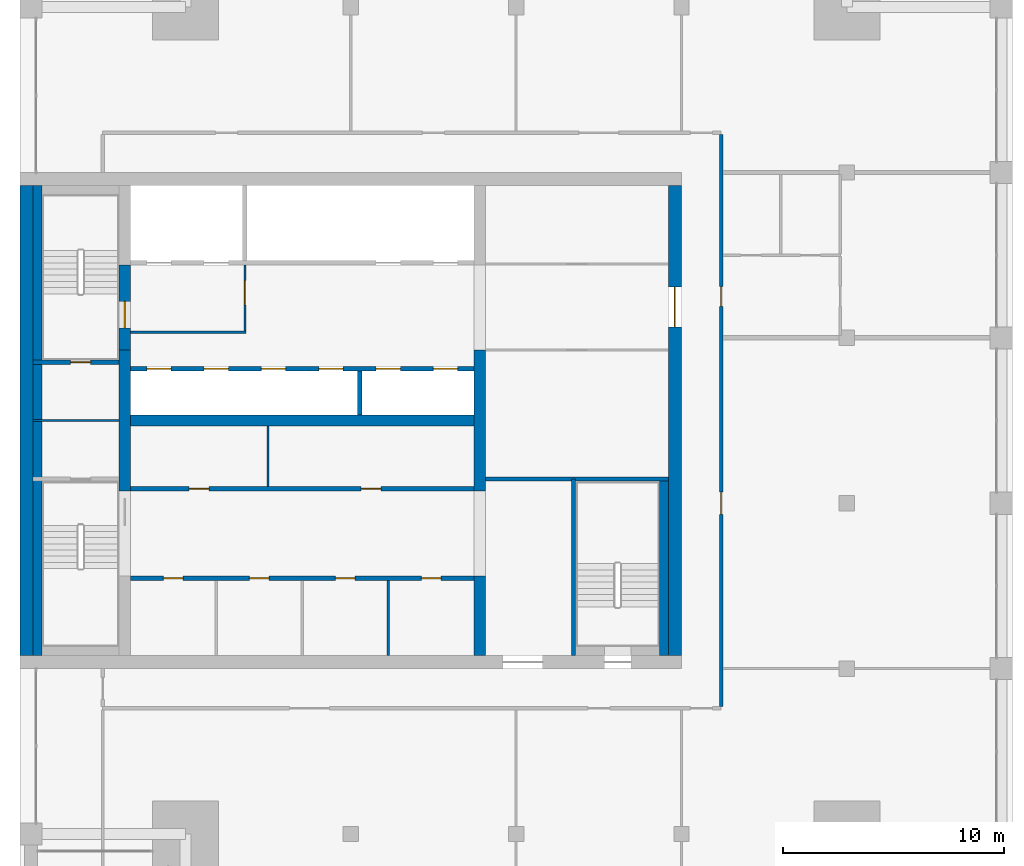
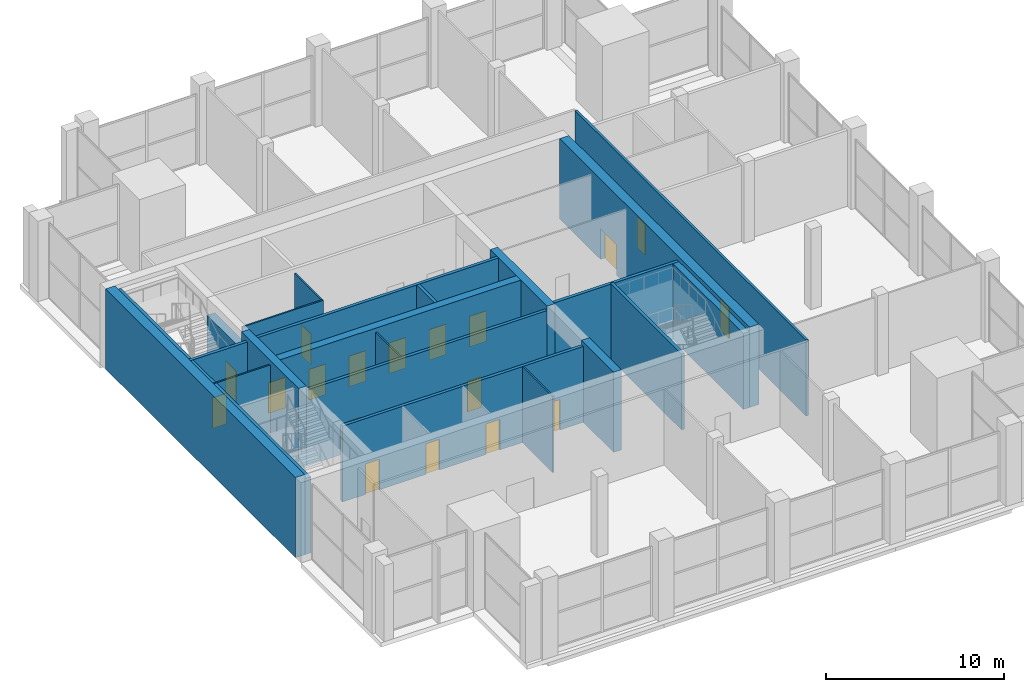
# One storey, part 9 of 15: 22 walls, 18 doors, 18 openings.
"""IFC4 building model written with IfcOpenShell, lengths in metres."""

from ifc_helpers import new_model, si_unit, direction, frame, frame_2d, origin, place, context, subcontext, project, spatial, rectangle, extrude, material, layer, layer_set, type_object, element, fill, save


model = new_model("IFC4")

# Units and contexts
model_context = context("Model", 3, precision=1e-05, world=origin(), true_north=direction((0.0, 1.0)))
body_context = subcontext(model_context, "Body", "Model", "MODEL_VIEW")
ifc_project = project(units=[si_unit("LENGTHUNIT", "METRE"), si_unit("AREAUNIT", "SQUARE_METRE"), si_unit("VOLUMEUNIT", "CUBIC_METRE"), si_unit("PLANEANGLEUNIT", "RADIAN"), si_unit("MASSUNIT", "GRAM", prefix="KILO")], contexts=[model_context])

# Site, building, storey
site_placement = place(None, origin())
site = spatial("IfcSite", under=ifc_project, at=site_placement, CompositionType="ELEMENT")
building_placement = place(site_placement, origin())
building = spatial("IfcBuilding", under=site, at=building_placement, Name="Tamorin Gate", CompositionType="ELEMENT")
storey_placement = place(building_placement, frame((0.0, 0.0, 292.199951171875)))
storey = spatial("IfcBuildingStorey", under=building, at=storey_placement, Name="L73", CompositionType="ELEMENT", Elevation=292.199951171875)

# Wall, openings, doors
ifc_material_1 = material(Name="Gypsum board partition")
ifc_layer_1 = layer(ifc_material_1, 0.14990234375)
ifc_layer_set_1 = layer_set([ifc_layer_1], Name="Corridor wall 150")
wall_type_1 = type_object("IfcWallType", Name="Corridor wall 150", PredefinedType="PARTITIONING", material=ifc_layer_set_1)
wall_1_placement = place(storey_placement, frame((61.800048828125, 58.27490234375, 0.0), z_axis=(0.0, 0.0, 1.0), x_axis=(0.0, 1.0, 0.0)))
wall_1 = element("IfcWall", 1, at=wall_1_placement, inside=storey, type_object=wall_type_1, Name="Corridor wall 150", PredefinedType="PARTITIONING", context=body_context, shape_type="SweptSolid", body=[
    extrude(rectangle(XDim=25.9501953125, YDim=0.14990234375, at=frame_2d((12.97509765625, 0.0))), origin(), (0.0, 0.0, 1.0), 5.199951171875),
])
opening_1_placement = place(wall_1_placement, frame((8.72509765625, 0.0, 0.0)))
opening_1 = element("IfcOpeningElement", 2, at=opening_1_placement, cuts=wall_1, Name="Opening DSR1009", PredefinedType="OPENING", context=body_context, shape_type="SweptSolid", body=[
    extrude(rectangle(XDim=1.0, YDim=2.10009765625, at=frame_2d((0.5, 1.050048828125))), frame((0.0, 0.0849609375, 0.0), z_axis=(0.0, -1.0, 0.0), x_axis=(1.0, 0.0, 0.0)), (0.0, 0.0, 1.0), 0.169921875),
])
opening_2_placement = place(wall_1_placement, frame((18.14990234375, 0.0, 0.0)))
opening_2 = element("IfcOpeningElement", 3, at=opening_2_placement, cuts=wall_1, Name="Opening DSR1010", PredefinedType="OPENING", context=body_context, shape_type="SweptSolid", body=[
    extrude(rectangle(XDim=0.89990234375, YDim=2.10009765625, at=frame_2d((0.449951171875, 1.050048828125))), frame((0.0, 0.0849609375, 0.0), z_axis=(0.0, -1.0, 0.0), x_axis=(1.0, 0.0, 0.0)), (0.0, 0.0, 1.0), 0.169921875),
])
ifc_material_2 = material(Name="Timber door leaf", Category="wood")
door_type_1 = type_object("IfcDoorType", Name="Door 1000 x 2100 FD30S", OperationType="NOTDEFINED", PredefinedType="DOOR", material=ifc_material_2)
door_1_placement = place(opening_1_placement, origin())
door_1 = element("IfcDoor", 4, at=door_1_placement, inside=storey, type_object=door_type_1, Name="Door DSR1009", OperationType="SINGLE_SWING_RIGHT", OverallHeight=2.10009765625, OverallWidth=1.0, PredefinedType="DOOR", context=body_context, shape_type="SweptSolid", body=[
    extrude(rectangle(XDim=1.0, YDim=2.10009765625, at=frame_2d((0.5, 1.050048828125))), frame((0.0, 0.02490234375, 0.0), z_axis=(0.0, -1.0, 0.0), x_axis=(1.0, 0.0, 0.0)), (0.0, 0.0, 1.0), 0.050048828125),
])
fill(opening_1, door_1)
door_type_2 = type_object("IfcDoorType", Name="Door 900 x 2100 FD30S", OperationType="NOTDEFINED", PredefinedType="DOOR", material=ifc_material_2)
door_2_placement = place(opening_2_placement, origin())
door_2 = element("IfcDoor", 5, at=door_2_placement, inside=storey, type_object=door_type_2, Name="Door DSR1010", OperationType="SINGLE_SWING_RIGHT", OverallHeight=2.10009765625, OverallWidth=0.89990234375, PredefinedType="DOOR", context=body_context, shape_type="SweptSolid", body=[
    extrude(rectangle(XDim=0.89990234375, YDim=2.10009765625, at=frame_2d((0.449951171875, 1.050048828125))), frame((0.0, 0.02490234375, 0.0), z_axis=(0.0, -1.0, 0.0), x_axis=(1.0, 0.0, 0.0)), (0.0, 0.0, 1.0), 0.050048828125),
])
fill(opening_2, door_2)

ifc_material_3 = material(Name="Concrete C32/40", Category="concrete")
ifc_layer_2 = layer(ifc_material_3, 0.199951171875)
ifc_layer_set_2 = layer_set([ifc_layer_2], Name="Lift lobby face wall 200 EI 120")
wall_type_2 = type_object("IfcWallType", Name="Lift lobby face wall 200 EI 120", PredefinedType="SOLIDWALL", material=ifc_layer_set_2)
wall_2_placement = place(storey_placement, frame((35.0, 73.60009765625, 0.0), z_axis=(0.0, 0.0, 1.0), x_axis=(1.0, 0.0, 0.0)))
wall_2 = element("IfcWall", 6, at=wall_2_placement, inside=storey, type_object=wall_type_2, Name="Lift lobby face wall", PredefinedType="SOLIDWALL", context=body_context, shape_type="SweptSolid", body=[
    extrude(rectangle(XDim=15.60009765625, YDim=0.199951171875, at=frame_2d((7.800048828125, 0.0))), origin(), (0.0, 0.0, 1.0), 5.5),
])
opening_3_placement = place(wall_2_placement, frame((0.75, 0.0, 0.0)))
opening_3 = element("IfcOpeningElement", 7, at=opening_3_placement, cuts=wall_2, Name="Opening LD11", PredefinedType="OPENING", context=body_context, shape_type="SweptSolid", body=[
    extrude(rectangle(XDim=1.10009765625, YDim=2.10009765625, at=frame_2d((0.550048828125, 1.050048828125))), frame((0.0, 0.10986328125, 0.0), z_axis=(0.0, -1.0, 0.0), x_axis=(1.0, 0.0, 0.0)), (0.0, 0.0, 1.0), 0.219970703125),
])
opening_4_placement = place(wall_2_placement, frame((3.35009765625, 0.0, 0.0)))
opening_4 = element("IfcOpeningElement", 8, at=opening_4_placement, cuts=wall_2, Name="Opening LD12", PredefinedType="OPENING", context=body_context, shape_type="SweptSolid", body=[
    extrude(rectangle(XDim=1.10009765625, YDim=2.10009765625, at=frame_2d((0.550048828125, 1.050048828125))), frame((0.0, 0.10986328125, 0.0), z_axis=(0.0, -1.0, 0.0), x_axis=(1.0, 0.0, 0.0)), (0.0, 0.0, 1.0), 0.219970703125),
])
opening_5_placement = place(wall_2_placement, frame((5.949951171875, 0.0, 0.0)))
opening_5 = element("IfcOpeningElement", 9, at=opening_5_placement, cuts=wall_2, Name="Opening LD13", PredefinedType="OPENING", context=body_context, shape_type="SweptSolid", body=[
    extrude(rectangle(XDim=1.10009765625, YDim=2.10009765625, at=frame_2d((0.550048828125, 1.050048828125))), frame((0.0, 0.10986328125, 0.0), z_axis=(0.0, -1.0, 0.0), x_axis=(1.0, 0.0, 0.0)), (0.0, 0.0, 1.0), 0.219970703125),
])
opening_6_placement = place(wall_2_placement, frame((8.550048828125, 0.0, 0.0)))
opening_6 = element("IfcOpeningElement", 10, at=opening_6_placement, cuts=wall_2, Name="Opening LD14", PredefinedType="OPENING", context=body_context, shape_type="SweptSolid", body=[
    extrude(rectangle(XDim=1.10009765625, YDim=2.10009765625, at=frame_2d((0.550048828125, 1.050048828125))), frame((0.0, 0.10986328125, 0.0), z_axis=(0.0, -1.0, 0.0), x_axis=(1.0, 0.0, 0.0)), (0.0, 0.0, 1.0), 0.219970703125),
])
opening_7_placement = place(wall_2_placement, frame((11.14990234375, 0.0, 0.0)))
opening_7 = element("IfcOpeningElement", 11, at=opening_7_placement, cuts=wall_2, Name="Opening LD15", PredefinedType="OPENING", context=body_context, shape_type="SweptSolid", body=[
    extrude(rectangle(XDim=1.10009765625, YDim=2.10009765625, at=frame_2d((0.550048828125, 1.050048828125))), frame((0.0, 0.10986328125, 0.0), z_axis=(0.0, -1.0, 0.0), x_axis=(1.0, 0.0, 0.0)), (0.0, 0.0, 1.0), 0.219970703125),
])
opening_8_placement = place(wall_2_placement, frame((13.75, 0.0, 0.0)))
opening_8 = element("IfcOpeningElement", 12, at=opening_8_placement, cuts=wall_2, Name="Opening LD16", PredefinedType="OPENING", context=body_context, shape_type="SweptSolid", body=[
    extrude(rectangle(XDim=1.10009765625, YDim=2.10009765625, at=frame_2d((0.550048828125, 1.050048828125))), frame((0.0, 0.10986328125, 0.0), z_axis=(0.0, -1.0, 0.0), x_axis=(1.0, 0.0, 0.0)), (0.0, 0.0, 1.0), 0.219970703125),
])
ifc_material_4 = material(Name="Stainless steel sliding door", Category="steel")
door_type_3 = type_object("IfcDoorType", Name="Lift landing door 1100 x 2100 E 90", OperationType="DOUBLE_DOOR_SLIDING", PredefinedType="DOOR", material=ifc_material_4)
door_3_placement = place(opening_3_placement, origin())
door_3 = element("IfcDoor", 13, at=door_3_placement, inside=storey, type_object=door_type_3, Name="HR1 landing door", OperationType="DOUBLE_DOOR_SLIDING", OverallHeight=2.10009765625, OverallWidth=1.10009765625, PredefinedType="DOOR", context=body_context, shape_type="SweptSolid", body=[
    extrude(rectangle(XDim=1.10009765625, YDim=2.10009765625, at=frame_2d((0.550048828125, 1.050048828125))), frame((0.0, 0.02490234375, 0.0), z_axis=(0.0, -1.0, 0.0), x_axis=(1.0, 0.0, 0.0)), (0.0, 0.0, 1.0), 0.050048828125),
])
fill(opening_3, door_3)
door_4_placement = place(opening_4_placement, origin())
door_4 = element("IfcDoor", 14, at=door_4_placement, inside=storey, type_object=door_type_3, Name="HR2 landing door", OperationType="DOUBLE_DOOR_SLIDING", OverallHeight=2.10009765625, OverallWidth=1.10009765625, PredefinedType="DOOR", context=body_context, shape_type="SweptSolid", body=[
    extrude(rectangle(XDim=1.10009765625, YDim=2.10009765625, at=frame_2d((0.550048828125, 1.050048828125))), frame((0.0, 0.02490234375, 0.0), z_axis=(0.0, -1.0, 0.0), x_axis=(1.0, 0.0, 0.0)), (0.0, 0.0, 1.0), 0.050048828125),
])
fill(opening_4, door_4)
door_5_placement = place(opening_5_placement, origin())
door_5 = element("IfcDoor", 15, at=door_5_placement, inside=storey, type_object=door_type_3, Name="HR3 landing door", OperationType="DOUBLE_DOOR_SLIDING", OverallHeight=2.10009765625, OverallWidth=1.10009765625, PredefinedType="DOOR", context=body_context, shape_type="SweptSolid", body=[
    extrude(rectangle(XDim=1.10009765625, YDim=2.10009765625, at=frame_2d((0.550048828125, 1.050048828125))), frame((0.0, 0.02490234375, 0.0), z_axis=(0.0, -1.0, 0.0), x_axis=(1.0, 0.0, 0.0)), (0.0, 0.0, 1.0), 0.050048828125),
])
fill(opening_5, door_5)
door_6_placement = place(opening_6_placement, origin())
door_6 = element("IfcDoor", 16, at=door_6_placement, inside=storey, type_object=door_type_3, Name="HR4 landing door", OperationType="DOUBLE_DOOR_SLIDING", OverallHeight=2.10009765625, OverallWidth=1.10009765625, PredefinedType="DOOR", context=body_context, shape_type="SweptSolid", body=[
    extrude(rectangle(XDim=1.10009765625, YDim=2.10009765625, at=frame_2d((0.550048828125, 1.050048828125))), frame((0.0, 0.02490234375, 0.0), z_axis=(0.0, -1.0, 0.0), x_axis=(1.0, 0.0, 0.0)), (0.0, 0.0, 1.0), 0.050048828125),
])
fill(opening_6, door_6)
door_7_placement = place(opening_7_placement, origin())
door_7 = element("IfcDoor", 17, at=door_7_placement, inside=storey, type_object=door_type_3, Name="HR5 landing door", OperationType="DOUBLE_DOOR_SLIDING", OverallHeight=2.10009765625, OverallWidth=1.10009765625, PredefinedType="DOOR", context=body_context, shape_type="SweptSolid", body=[
    extrude(rectangle(XDim=1.10009765625, YDim=2.10009765625, at=frame_2d((0.550048828125, 1.050048828125))), frame((0.0, 0.02490234375, 0.0), z_axis=(0.0, -1.0, 0.0), x_axis=(1.0, 0.0, 0.0)), (0.0, 0.0, 1.0), 0.050048828125),
])
fill(opening_7, door_7)
door_8_placement = place(opening_8_placement, origin())
door_8 = element("IfcDoor", 18, at=door_8_placement, inside=storey, type_object=door_type_3, Name="HR6 landing door", OperationType="DOUBLE_DOOR_SLIDING", OverallHeight=2.10009765625, OverallWidth=1.10009765625, PredefinedType="DOOR", context=body_context, shape_type="SweptSolid", body=[
    extrude(rectangle(XDim=1.10009765625, YDim=2.10009765625, at=frame_2d((0.550048828125, 1.050048828125))), frame((0.0, 0.02490234375, 0.0), z_axis=(0.0, -1.0, 0.0), x_axis=(1.0, 0.0, 0.0)), (0.0, 0.0, 1.0), 0.050048828125),
])
fill(opening_8, door_8)

# Walls
ifc_layer_3 = layer(ifc_material_3, 0.199951171875)
ifc_layer_set_3 = layer_set([ifc_layer_3], Name="Lift shaft wall 200 EI 120")
wall_type_3 = type_object("IfcWallType", Name="Lift shaft wall 200 EI 120", PredefinedType="SOLIDWALL", material=ifc_layer_set_3)
wall_3_placement = place(storey_placement, frame((45.39990234375, 71.5, 0.0), z_axis=(0.0, 0.0, 1.0), x_axis=(0.0, 1.0, 0.0)))
element("IfcWall", 19, at=wall_3_placement, inside=storey, type_object=wall_type_3, Name="Lift shaft wall", PredefinedType="SOLIDWALL", context=body_context, shape_type="SweptSolid", body=[
    extrude(rectangle(XDim=2.0, YDim=0.199951171875, at=frame_2d((1.0, 0.0))), origin(), (0.0, 0.0, 1.0), 5.5),
])
ifc_material_5 = material(Name="Fire-rated gypsum board partition")
ifc_layer_4 = layer(ifc_material_5, 0.10009765625)
ifc_layer_set_4 = layer_set([ifc_layer_4], Name="Lobby wall 100 EI 60")
wall_type_4 = type_object("IfcWallType", Name="Lobby wall 100 EI 60", PredefinedType="PARTITIONING", material=ifc_layer_set_4)
wall_4_placement = place(storey_placement, frame((35.0, 75.25, 0.0), z_axis=(0.0, 0.0, 1.0), x_axis=(1.0, 0.0, 0.0)))
element("IfcWall", 20, at=wall_4_placement, inside=storey, type_object=wall_type_4, Name="Firefighting lobby wall", PredefinedType="PARTITIONING", context=body_context, shape_type="SweptSolid", body=[
    extrude(rectangle(XDim=5.25, YDim=0.10009765625, at=frame_2d((2.625, 0.0))), origin(), (0.0, 0.0, 1.0), 5.199951171875),
])

# Wall, opening, door
wall_5_placement = place(storey_placement, frame((40.199951171875, 75.300048828125, 0.0), z_axis=(0.0, 0.0, 1.0), x_axis=(0.0, 1.0, 0.0)))
wall_5 = element("IfcWall", 21, at=wall_5_placement, inside=storey, type_object=wall_type_4, Name="Firefighting lobby wall", PredefinedType="PARTITIONING", context=body_context, shape_type="SweptSolid", body=[
    extrude(rectangle(XDim=3.0, YDim=0.10009765625, at=frame_2d((1.5, 0.0))), origin(), (0.0, 0.0, 1.0), 5.199951171875),
])
opening_9_placement = place(wall_5_placement, frame((1.199951171875, 0.0, 0.0)))
opening_9 = element("IfcOpeningElement", 22, at=opening_9_placement, cuts=wall_5, Name="Opening DF1", PredefinedType="OPENING", context=body_context, shape_type="SweptSolid", body=[
    extrude(rectangle(XDim=1.10009765625, YDim=2.10009765625, at=frame_2d((0.550048828125, 1.050048828125))), frame((0.0, 0.06005859375, 0.0), z_axis=(0.0, -1.0, 0.0), x_axis=(1.0, 0.0, 0.0)), (0.0, 0.0, 1.0), 0.1201171875),
])
ifc_material_6 = material(Name="Steel fire door", Category="steel")
door_type_4 = type_object("IfcDoorType", Name="Firefighting lobby door 1100 x 2100 EI 90", OperationType="SINGLE_SWING_LEFT", PredefinedType="DOOR", material=ifc_material_6)
door_9_placement = place(opening_9_placement, origin())
door_9 = element("IfcDoor", 23, at=door_9_placement, inside=storey, type_object=door_type_4, Name="Firefighting lobby door", OperationType="SINGLE_SWING_LEFT", OverallHeight=2.10009765625, OverallWidth=1.10009765625, PredefinedType="DOOR", context=body_context, shape_type="SweptSolid", body=[
    extrude(rectangle(XDim=1.10009765625, YDim=2.10009765625, at=frame_2d((0.550048828125, 1.050048828125))), frame((0.0, 0.02490234375, 0.0), z_axis=(0.0, -1.0, 0.0), x_axis=(1.0, 0.0, 0.0)), (0.0, 0.0, 1.0), 0.050048828125),
])
fill(opening_9, door_9)

# Walls
ifc_material_7 = material(Name="Concrete C50/60", Category="concrete")
ifc_layer_5 = layer(ifc_material_7, 0.5)
ifc_layer_set_5 = layer_set([ifc_layer_5], Name="RC core internal wall 500 C50/60")
wall_type_5 = type_object("IfcWallType", Name="RC core internal wall 500 C50/60", PredefinedType="SHEAR", material=ifc_layer_set_5)
wall_6_placement = place(storey_placement, frame((35.0, 71.25, 0.0), z_axis=(0.0, 0.0, 1.0), x_axis=(1.0, 0.0, 0.0)))
element("IfcWall", 24, at=wall_6_placement, inside=storey, type_object=wall_type_5, Name="Core spine wall L73", PredefinedType="SHEAR", context=body_context, shape_type="SweptSolid", body=[
    extrude(rectangle(XDim=15.60009765625, YDim=0.5, at=frame_2d((7.800048828125, 0.0))), origin(), (0.0, 0.0, 1.0), 5.5),
])
wall_7_placement = place(storey_placement, frame((34.75, 68.050048828125, 0.0), z_axis=(0.0, 0.0, 1.0), x_axis=(0.0, 1.0, 0.0)))
element("IfcWall", 25, at=wall_7_placement, inside=storey, type_object=wall_type_5, Name="Core cross wall L73", PredefinedType="SHEAR", context=body_context, shape_type="SweptSolid", body=[
    extrude(rectangle(XDim=6.39990234375, YDim=0.5, at=frame_2d((3.199951171875, 0.0))), origin(), (0.0, 0.0, 1.0), 5.5),
])
wall_8_placement = place(storey_placement, frame((50.85009765625, 60.60009765625, 0.0), z_axis=(0.0, 0.0, 1.0), x_axis=(0.0, 1.0, 0.0)))
element("IfcWall", 26, at=wall_8_placement, inside=storey, type_object=wall_type_5, Name="Core cross wall L73", PredefinedType="SHEAR", context=body_context, shape_type="SweptSolid", body=[
    extrude(rectangle(XDim=3.599853515625, YDim=0.5, at=frame_2d((1.7998046875, 0.0))), origin(), (0.0, 0.0, 1.0), 5.5),
])
wall_9_placement = place(storey_placement, frame((50.85009765625, 68.050048828125, 0.0), z_axis=(0.0, 0.0, 1.0), x_axis=(0.0, 1.0, 0.0)))
element("IfcWall", 27, at=wall_9_placement, inside=storey, type_object=wall_type_5, Name="Core cross wall L73", PredefinedType="SHEAR", context=body_context, shape_type="SweptSolid", body=[
    extrude(rectangle(XDim=6.39990234375, YDim=0.5, at=frame_2d((3.199951171875, 0.0))), origin(), (0.0, 0.0, 1.0), 5.5),
])
ifc_layer_6 = layer(ifc_material_7, 0.60009765625)
ifc_layer_set_6 = layer_set([ifc_layer_6], Name="RC core wall 600 C50/60")
wall_type_6 = type_object("IfcWallType", Name="RC core wall 600 C50/60", PredefinedType="SHEAR", material=ifc_layer_set_6)
wall_10_placement = place(storey_placement, frame((30.300048828125, 60.60009765625, 0.0), z_axis=(0.0, 0.0, 1.0), x_axis=(0.0, 1.0, 0.0)))
element("IfcWall", 28, at=wall_10_placement, inside=storey, type_object=wall_type_6, Name="Core wall L73", PredefinedType="SHEAR", context=body_context, shape_type="SweptSolid", body=[
    extrude(rectangle(XDim=21.2998046875, YDim=0.60009765625, at=frame_2d((10.64990234375, 0.0))), origin(), (0.0, 0.0, 1.0), 5.5),
])

# Wall, opening, door
wall_11_placement = place(storey_placement, frame((59.699951171875, 60.60009765625, 0.0), z_axis=(0.0, 0.0, 1.0), x_axis=(0.0, 1.0, 0.0)))
wall_11 = element("IfcWall", 29, at=wall_11_placement, inside=storey, type_object=wall_type_6, Name="Core wall L73", PredefinedType="SHEAR", context=body_context, shape_type="SweptSolid", body=[
    extrude(rectangle(XDim=21.2998046875, YDim=0.60009765625, at=frame_2d((10.64990234375, 0.0))), origin(), (0.0, 0.0, 1.0), 5.5),
])
opening_10_placement = place(wall_11_placement, frame((14.89990234375, 0.0, 0.0)))
opening_10 = element("IfcOpeningElement", 30, at=opening_10_placement, cuts=wall_11, Name="Opening DE1", PredefinedType="OPENING", context=body_context, shape_type="SweptSolid", body=[
    extrude(rectangle(XDim=1.800048828125, YDim=2.10009765625, at=frame_2d((0.89990234375, 1.050048828125))), frame((0.0, 0.31005859375, 0.0), z_axis=(0.0, -1.0, 0.0), x_axis=(1.0, 0.0, 0.0)), (0.0, 0.0, 1.0), 0.6201171875),
])
door_type_5 = type_object("IfcDoorType", Name="Lobby exit double door 1800 x 2100 EI 60", OperationType="DOUBLE_DOOR_SINGLE_SWING", PredefinedType="DOOR", material=ifc_material_6)
door_10_placement = place(opening_10_placement, origin())
door_10 = element("IfcDoor", 31, at=door_10_placement, inside=storey, type_object=door_type_5, Name="Lift lobby B exit door", OperationType="DOUBLE_DOOR_SINGLE_SWING", OverallHeight=2.10009765625, OverallWidth=1.800048828125, PredefinedType="DOOR", context=body_context, shape_type="SweptSolid", body=[
    extrude(rectangle(XDim=1.800048828125, YDim=2.10009765625, at=frame_2d((0.89990234375, 1.050048828125))), frame((0.0, 0.02490234375, 0.0), z_axis=(0.0, -1.0, 0.0), x_axis=(1.0, 0.0, 0.0)), (0.0, 0.0, 1.0), 0.050048828125),
])
fill(opening_10, door_10)

# Wall
ifc_layer_7 = layer(ifc_material_5, 0.10009765625)
ifc_layer_set_7 = layer_set([ifc_layer_7], Name="Riser partition 100 EI 120")
wall_type_7 = type_object("IfcWallType", Name="Riser partition 100 EI 120", PredefinedType="PARTITIONING", material=ifc_layer_set_7)
wall_12_placement = place(storey_placement, frame((30.60009765625, 71.25, 0.0), z_axis=(0.0, 0.0, 1.0), x_axis=(1.0, 0.0, 0.0)))
element("IfcWall", 32, at=wall_12_placement, inside=storey, type_object=wall_type_7, Name="Riser partition", PredefinedType="PARTITIONING", context=body_context, shape_type="SweptSolid", body=[
    extrude(rectangle(XDim=3.89990234375, YDim=0.10009765625, at=frame_2d((1.949951171875, 0.0))), origin(), (0.0, 0.0, 1.0), 5.199951171875),
])

# Wall, openings, doors
ifc_layer_8 = layer(ifc_material_1, 0.199951171875)
ifc_layer_set_8 = layer_set([ifc_layer_8], Name="Service room face wall 200 EI 60")
wall_type_8 = type_object("IfcWallType", Name="Service room face wall 200 EI 60", PredefinedType="PARTITIONING", material=ifc_layer_set_8)
wall_13_placement = place(storey_placement, frame((35.0, 64.10009765625, 0.0), z_axis=(0.0, 0.0, 1.0), x_axis=(1.0, 0.0, 0.0)))
wall_13 = element("IfcWall", 33, at=wall_13_placement, inside=storey, type_object=wall_type_8, Name="Service room face wall", PredefinedType="PARTITIONING", context=body_context, shape_type="SweptSolid", body=[
    extrude(rectangle(XDim=15.60009765625, YDim=0.199951171875, at=frame_2d((7.800048828125, 0.0))), origin(), (0.0, 0.0, 1.0), 5.199951171875),
])
opening_11_placement = place(wall_13_placement, frame((1.5, 0.0, 0.0)))
opening_11 = element("IfcOpeningElement", 34, at=opening_11_placement, cuts=wall_13, Name="Opening DK1", PredefinedType="OPENING", context=body_context, shape_type="SweptSolid", body=[
    extrude(rectangle(XDim=0.89990234375, YDim=2.10009765625, at=frame_2d((0.449951171875, 1.050048828125))), frame((0.0, 0.10986328125, 0.0), z_axis=(0.0, -1.0, 0.0), x_axis=(1.0, 0.0, 0.0)), (0.0, 0.0, 1.0), 0.219970703125),
])
opening_12_placement = place(wall_13_placement, frame((5.39990234375, 0.0, 0.0)))
opening_12 = element("IfcOpeningElement", 35, at=opening_12_placement, cuts=wall_13, Name="Opening DK1", PredefinedType="OPENING", context=body_context, shape_type="SweptSolid", body=[
    extrude(rectangle(XDim=0.89990234375, YDim=2.10009765625, at=frame_2d((0.449951171875, 1.050048828125))), frame((0.0, 0.10986328125, 0.0), z_axis=(0.0, -1.0, 0.0), x_axis=(1.0, 0.0, 0.0)), (0.0, 0.0, 1.0), 0.219970703125),
])
opening_13_placement = place(wall_13_placement, frame((9.300048828125, 0.0, 0.0)))
opening_13 = element("IfcOpeningElement", 36, at=opening_13_placement, cuts=wall_13, Name="Opening DK1", PredefinedType="OPENING", context=body_context, shape_type="SweptSolid", body=[
    extrude(rectangle(XDim=0.89990234375, YDim=2.10009765625, at=frame_2d((0.449951171875, 1.050048828125))), frame((0.0, 0.10986328125, 0.0), z_axis=(0.0, -1.0, 0.0), x_axis=(1.0, 0.0, 0.0)), (0.0, 0.0, 1.0), 0.219970703125),
])
opening_14_placement = place(wall_13_placement, frame((13.199951171875, 0.0, 0.0)))
opening_14 = element("IfcOpeningElement", 37, at=opening_14_placement, cuts=wall_13, Name="Opening DK1", PredefinedType="OPENING", context=body_context, shape_type="SweptSolid", body=[
    extrude(rectangle(XDim=0.89990234375, YDim=2.10009765625, at=frame_2d((0.449951171875, 1.050048828125))), frame((0.0, 0.10986328125, 0.0), z_axis=(0.0, -1.0, 0.0), x_axis=(1.0, 0.0, 0.0)), (0.0, 0.0, 1.0), 0.219970703125),
])
ifc_material_8 = material(Name="Timber fire door", Category="wood")
door_type_6 = type_object("IfcDoorType", Name="Service room door 900 x 2100 EI 60", OperationType="SINGLE_SWING_LEFT", PredefinedType="DOOR", material=ifc_material_8)
door_11_placement = place(opening_11_placement, origin())
door_11 = element("IfcDoor", 38, at=door_11_placement, inside=storey, type_object=door_type_6, Name="Door Wine store", OperationType="SINGLE_SWING_LEFT", OverallHeight=2.10009765625, OverallWidth=0.89990234375, PredefinedType="DOOR", context=body_context, shape_type="SweptSolid", body=[
    extrude(rectangle(XDim=0.89990234375, YDim=2.10009765625, at=frame_2d((0.449951171875, 1.050048828125))), frame((0.0, 0.02490234375, 0.0), z_axis=(0.0, -1.0, 0.0), x_axis=(1.0, 0.0, 0.0)), (0.0, 0.0, 1.0), 0.050048828125),
])
fill(opening_11, door_11)
door_12_placement = place(opening_12_placement, origin())
door_12 = element("IfcDoor", 39, at=door_12_placement, inside=storey, type_object=door_type_6, Name="Door Cleaner's store", OperationType="SINGLE_SWING_RIGHT", OverallHeight=2.10009765625, OverallWidth=0.89990234375, PredefinedType="DOOR", context=body_context, shape_type="SweptSolid", body=[
    extrude(rectangle(XDim=0.89990234375, YDim=2.10009765625, at=frame_2d((0.449951171875, 1.050048828125))), frame((0.0, 0.02490234375, 0.0), z_axis=(0.0, -1.0, 0.0), x_axis=(1.0, 0.0, 0.0)), (0.0, 0.0, 1.0), 0.050048828125),
])
fill(opening_12, door_12)
door_13_placement = place(opening_13_placement, origin())
door_13 = element("IfcDoor", 40, at=door_13_placement, inside=storey, type_object=door_type_6, Name="Door Pantry", OperationType="SINGLE_SWING_LEFT", OverallHeight=2.10009765625, OverallWidth=0.89990234375, PredefinedType="DOOR", context=body_context, shape_type="SweptSolid", body=[
    extrude(rectangle(XDim=0.89990234375, YDim=2.10009765625, at=frame_2d((0.449951171875, 1.050048828125))), frame((0.0, 0.02490234375, 0.0), z_axis=(0.0, -1.0, 0.0), x_axis=(1.0, 0.0, 0.0)), (0.0, 0.0, 1.0), 0.050048828125),
])
fill(opening_13, door_13)
door_14_placement = place(opening_14_placement, origin())
door_14 = element("IfcDoor", 41, at=door_14_placement, inside=storey, type_object=door_type_6, Name="Door Linen store", OperationType="SINGLE_SWING_RIGHT", OverallHeight=2.10009765625, OverallWidth=0.89990234375, PredefinedType="DOOR", context=body_context, shape_type="SweptSolid", body=[
    extrude(rectangle(XDim=0.89990234375, YDim=2.10009765625, at=frame_2d((0.449951171875, 1.050048828125))), frame((0.0, 0.02490234375, 0.0), z_axis=(0.0, -1.0, 0.0), x_axis=(1.0, 0.0, 0.0)), (0.0, 0.0, 1.0), 0.050048828125),
])
fill(opening_14, door_14)

wall_14_placement = place(storey_placement, frame((35.0, 68.14990234375, 0.0), z_axis=(0.0, 0.0, 1.0), x_axis=(1.0, 0.0, 0.0)))
wall_14 = element("IfcWall", 42, at=wall_14_placement, inside=storey, type_object=wall_type_8, Name="Service room face wall", PredefinedType="PARTITIONING", context=body_context, shape_type="SweptSolid", body=[
    extrude(rectangle(XDim=15.60009765625, YDim=0.199951171875, at=frame_2d((7.800048828125, 0.0))), origin(), (0.0, 0.0, 1.0), 5.199951171875),
])
opening_15_placement = place(wall_14_placement, frame((2.675048828125, 0.0, 0.0)))
opening_15 = element("IfcOpeningElement", 43, at=opening_15_placement, cuts=wall_14, Name="Opening DK1", PredefinedType="OPENING", context=body_context, shape_type="SweptSolid", body=[
    extrude(rectangle(XDim=0.89990234375, YDim=2.10009765625, at=frame_2d((0.449951171875, 1.050048828125))), frame((0.0, 0.10986328125, 0.0), z_axis=(0.0, -1.0, 0.0), x_axis=(1.0, 0.0, 0.0)), (0.0, 0.0, 1.0), 0.219970703125),
])
opening_16_placement = place(wall_14_placement, frame((10.47509765625, 0.0, 0.0)))
opening_16 = element("IfcOpeningElement", 44, at=opening_16_placement, cuts=wall_14, Name="Opening DK1", PredefinedType="OPENING", context=body_context, shape_type="SweptSolid", body=[
    extrude(rectangle(XDim=0.89990234375, YDim=2.10009765625, at=frame_2d((0.449951171875, 1.050048828125))), frame((0.0, 0.10986328125, 0.0), z_axis=(0.0, -1.0, 0.0), x_axis=(1.0, 0.0, 0.0)), (0.0, 0.0, 1.0), 0.219970703125),
])
door_15_placement = place(opening_15_placement, origin())
door_15 = element("IfcDoor", 45, at=door_15_placement, inside=storey, type_object=door_type_6, Name="Door Housekeeping store", OperationType="SINGLE_SWING_LEFT", OverallHeight=2.10009765625, OverallWidth=0.89990234375, PredefinedType="DOOR", context=body_context, shape_type="SweptSolid", body=[
    extrude(rectangle(XDim=0.89990234375, YDim=2.10009765625, at=frame_2d((0.449951171875, 1.050048828125))), frame((0.0, 0.02490234375, 0.0), z_axis=(0.0, -1.0, 0.0), x_axis=(1.0, 0.0, 0.0)), (0.0, 0.0, 1.0), 0.050048828125),
])
fill(opening_15, door_15)
door_16_placement = place(opening_16_placement, origin())
door_16 = element("IfcDoor", 46, at=door_16_placement, inside=storey, type_object=door_type_6, Name="Door Electrical and IT room", OperationType="SINGLE_SWING_RIGHT", OverallHeight=2.10009765625, OverallWidth=0.89990234375, PredefinedType="DOOR", context=body_context, shape_type="SweptSolid", body=[
    extrude(rectangle(XDim=0.89990234375, YDim=2.10009765625, at=frame_2d((0.449951171875, 1.050048828125))), frame((0.0, 0.02490234375, 0.0), z_axis=(0.0, -1.0, 0.0), x_axis=(1.0, 0.0, 0.0)), (0.0, 0.0, 1.0), 0.050048828125),
])
fill(opening_16, door_16)

# Walls
ifc_layer_9 = layer(ifc_material_1, 0.10009765625)
ifc_layer_set_9 = layer_set([ifc_layer_9], Name="Service room partition 100 EI 60")
wall_type_9 = type_object("IfcWallType", Name="Service room partition 100 EI 60", PredefinedType="PARTITIONING", material=ifc_layer_set_9)
wall_15_placement = place(storey_placement, frame((46.699951171875, 60.60009765625, 0.0), z_axis=(0.0, 0.0, 1.0), x_axis=(0.0, 1.0, 0.0)))
element("IfcWall", 47, at=wall_15_placement, inside=storey, type_object=wall_type_9, Name="Service room partition", PredefinedType="PARTITIONING", context=body_context, shape_type="SweptSolid", body=[
    extrude(rectangle(XDim=3.39990234375, YDim=0.10009765625, at=frame_2d((1.699951171875, 0.0))), origin(), (0.0, 0.0, 1.0), 5.199951171875),
])
wall_16_placement = place(storey_placement, frame((41.25, 68.25, 0.0), z_axis=(0.0, 0.0, 1.0), x_axis=(0.0, 1.0, 0.0)))
element("IfcWall", 48, at=wall_16_placement, inside=storey, type_object=wall_type_9, Name="Service room partition", PredefinedType="PARTITIONING", context=body_context, shape_type="SweptSolid", body=[
    extrude(rectangle(XDim=2.75, YDim=0.10009765625, at=frame_2d((1.375, 0.0))), origin(), (0.0, 0.0, 1.0), 5.199951171875),
])

# Wall, opening, door
ifc_material_9 = material(Name="Concrete C40/50", Category="concrete")
ifc_layer_10 = layer(ifc_material_9, 0.199951171875)
ifc_layer_set_10 = layer_set([ifc_layer_10], Name="Stair enclosure wall 200 EI 120 C40/50")
wall_type_10 = type_object("IfcWallType", Name="Stair enclosure wall 200 EI 120 C40/50", PredefinedType="SOLIDWALL", material=ifc_layer_set_10)
wall_17_placement = place(storey_placement, frame((30.60009765625, 73.89990234375, 0.0), z_axis=(0.0, 0.0, 1.0), x_axis=(1.0, 0.0, 0.0)))
wall_17 = element("IfcWall", 49, at=wall_17_placement, inside=storey, type_object=wall_type_10, Name="Stair enclosure wall", PredefinedType="SOLIDWALL", context=body_context, shape_type="SweptSolid", body=[
    extrude(rectangle(XDim=3.89990234375, YDim=0.199951171875, at=frame_2d((1.949951171875, 0.0))), origin(), (0.0, 0.0, 1.0), 5.199951171875),
])
opening_17_placement = place(wall_17_placement, frame((1.699951171875, 0.0, 0.0)))
opening_17 = element("IfcOpeningElement", 50, at=opening_17_placement, cuts=wall_17, Name="Opening DR1", PredefinedType="OPENING", context=body_context, shape_type="SweptSolid", body=[
    extrude(rectangle(XDim=0.89990234375, YDim=2.10009765625, at=frame_2d((0.449951171875, 1.050048828125))), frame((0.0, 0.10986328125, 0.0), z_axis=(0.0, -1.0, 0.0), x_axis=(1.0, 0.0, 0.0)), (0.0, 0.0, 1.0), 0.219970703125),
])
door_type_7 = type_object("IfcDoorType", Name="Riser access door 900 x 2100 EI 120", OperationType="SINGLE_SWING_LEFT", PredefinedType="DOOR", material=ifc_material_6)
door_17_placement = place(opening_17_placement, origin())
door_17 = element("IfcDoor", 51, at=door_17_placement, inside=storey, type_object=door_type_7, Name="Communications riser door", OperationType="SINGLE_SWING_RIGHT", OverallHeight=2.10009765625, OverallWidth=0.89990234375, PredefinedType="DOOR", context=body_context, shape_type="SweptSolid", body=[
    extrude(rectangle(XDim=0.89990234375, YDim=2.10009765625, at=frame_2d((0.449951171875, 1.050048828125))), frame((0.0, 0.02490234375, 0.0), z_axis=(0.0, -1.0, 0.0), x_axis=(1.0, 0.0, 0.0)), (0.0, 0.0, 1.0), 0.050048828125),
])
fill(opening_17, door_17)

# Walls
wall_18_placement = place(storey_placement, frame((55.10009765625, 60.60009765625, 0.0), z_axis=(0.0, 0.0, 1.0), x_axis=(0.0, 1.0, 0.0)))
element("IfcWall", 52, at=wall_18_placement, inside=storey, type_object=wall_type_10, Name="Stair enclosure wall", PredefinedType="SOLIDWALL", context=body_context, shape_type="SweptSolid", body=[
    extrude(rectangle(XDim=8.0, YDim=0.199951171875, at=frame_2d((4.0, 0.0))), origin(), (0.0, 0.0, 1.0), 5.199951171875),
])
wall_19_placement = place(storey_placement, frame((51.10009765625, 68.60009765625, 0.0), z_axis=(0.0, 0.0, 1.0), x_axis=(1.0, 0.0, 0.0)))
element("IfcWall", 53, at=wall_19_placement, inside=storey, type_object=wall_type_10, Name="Stair enclosure wall", PredefinedType="SOLIDWALL", context=body_context, shape_type="SweptSolid", body=[
    extrude(rectangle(XDim=8.2998046875, YDim=0.199951171875, at=frame_2d((4.14990234375, 0.0))), origin(), (0.0, 0.0, 1.0), 5.199951171875),
])
ifc_layer_11 = layer(ifc_material_7, 0.39990234375)
ifc_layer_set_11 = layer_set([ifc_layer_11], Name="Stair lining wall 400 EI 120 C50/60")
wall_type_11 = type_object("IfcWallType", Name="Stair lining wall 400 EI 120 C50/60", PredefinedType="SOLIDWALL", material=ifc_layer_set_11)
wall_20_placement = place(storey_placement, frame((30.800048828125, 60.60009765625, 0.0), z_axis=(0.0, 0.0, 1.0), x_axis=(0.0, 1.0, 0.0)))
element("IfcWall", 54, at=wall_20_placement, inside=storey, type_object=wall_type_11, Name="Stair lining wall", PredefinedType="SOLIDWALL", context=body_context, shape_type="SweptSolid", body=[
    extrude(rectangle(XDim=21.2998046875, YDim=0.39990234375, at=frame_2d((10.64990234375, 0.0))), origin(), (0.0, 0.0, 1.0), 5.199951171875),
])
wall_21_placement = place(storey_placement, frame((59.199951171875, 60.60009765625, 0.0), z_axis=(0.0, 0.0, 1.0), x_axis=(0.0, 1.0, 0.0)))
element("IfcWall", 55, at=wall_21_placement, inside=storey, type_object=wall_type_11, Name="Stair lining wall", PredefinedType="SOLIDWALL", context=body_context, shape_type="SweptSolid", body=[
    extrude(rectangle(XDim=7.89990234375, YDim=0.39990234375, at=frame_2d((3.949951171875, 0.0))), origin(), (0.0, 0.0, 1.0), 5.199951171875),
])

# Wall, opening, door
ifc_layer_12 = layer(ifc_material_3, 0.5)
ifc_layer_set_12 = layer_set([ifc_layer_12], Name="Stair lobby infill wall 500 EI 120")
wall_type_12 = type_object("IfcWallType", Name="Stair lobby infill wall 500 EI 120", PredefinedType="SOLIDWALL", material=ifc_layer_set_12)
wall_22_placement = place(storey_placement, frame((34.75, 74.449951171875, 0.0), z_axis=(0.0, 0.0, 1.0), x_axis=(0.0, 1.0, 0.0)))
wall_22 = element("IfcWall", 56, at=wall_22_placement, inside=storey, type_object=wall_type_12, Name="Stair lobby infill wall", PredefinedType="SOLIDWALL", context=body_context, shape_type="SweptSolid", body=[
    extrude(rectangle(XDim=3.85009765625, YDim=0.5, at=frame_2d((1.925048828125, 0.0))), origin(), (0.0, 0.0, 1.0), 4.300048828125),
])
opening_18_placement = place(wall_22_placement, frame((1.0, 0.0, 0.0)))
opening_18 = element("IfcOpeningElement", 57, at=opening_18_placement, cuts=wall_22, Name="Opening DS1", PredefinedType="OPENING", context=body_context, shape_type="SweptSolid", body=[
    extrude(rectangle(XDim=1.199951171875, YDim=2.10009765625, at=frame_2d((0.60009765625, 1.050048828125))), frame((0.0, 0.260009765625, 0.0), z_axis=(0.0, -1.0, 0.0), x_axis=(1.0, 0.0, 0.0)), (0.0, 0.0, 1.0), 0.52001953125),
])
door_type_8 = type_object("IfcDoorType", Name="Stair door 1200 x 2100 EI 90", OperationType="SINGLE_SWING_LEFT", PredefinedType="DOOR", material=ifc_material_6)
door_18_placement = place(opening_18_placement, origin())
door_18 = element("IfcDoor", 58, at=door_18_placement, inside=storey, type_object=door_type_8, Name="ST2 door", OperationType="SINGLE_SWING_RIGHT", OverallHeight=2.10009765625, OverallWidth=1.199951171875, PredefinedType="DOOR", context=body_context, shape_type="SweptSolid", body=[
    extrude(rectangle(XDim=1.199951171875, YDim=2.10009765625, at=frame_2d((0.60009765625, 1.050048828125))), frame((0.0, 0.02490234375, 0.0), z_axis=(0.0, -1.0, 0.0), x_axis=(1.0, 0.0, 0.0)), (0.0, 0.0, 1.0), 0.050048828125),
])
fill(opening_18, door_18)

save(model, "model.ifc")
